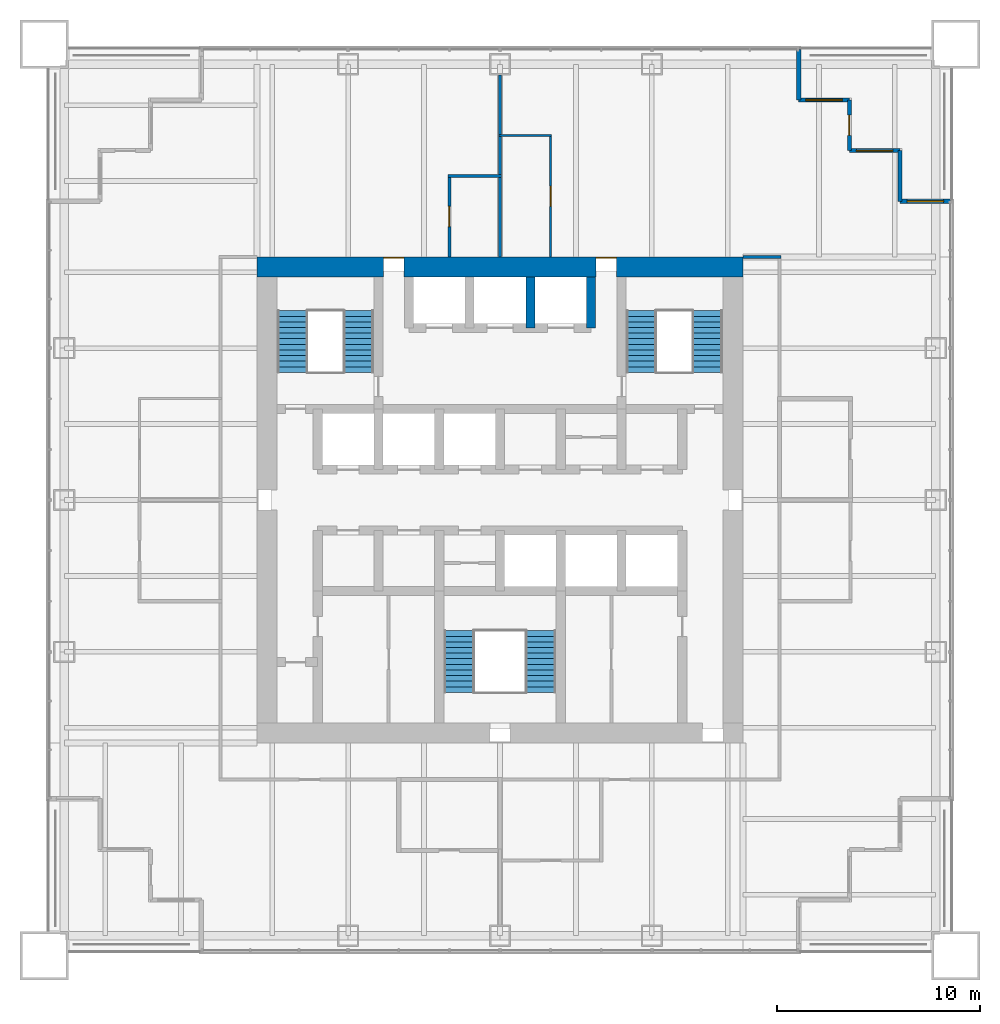
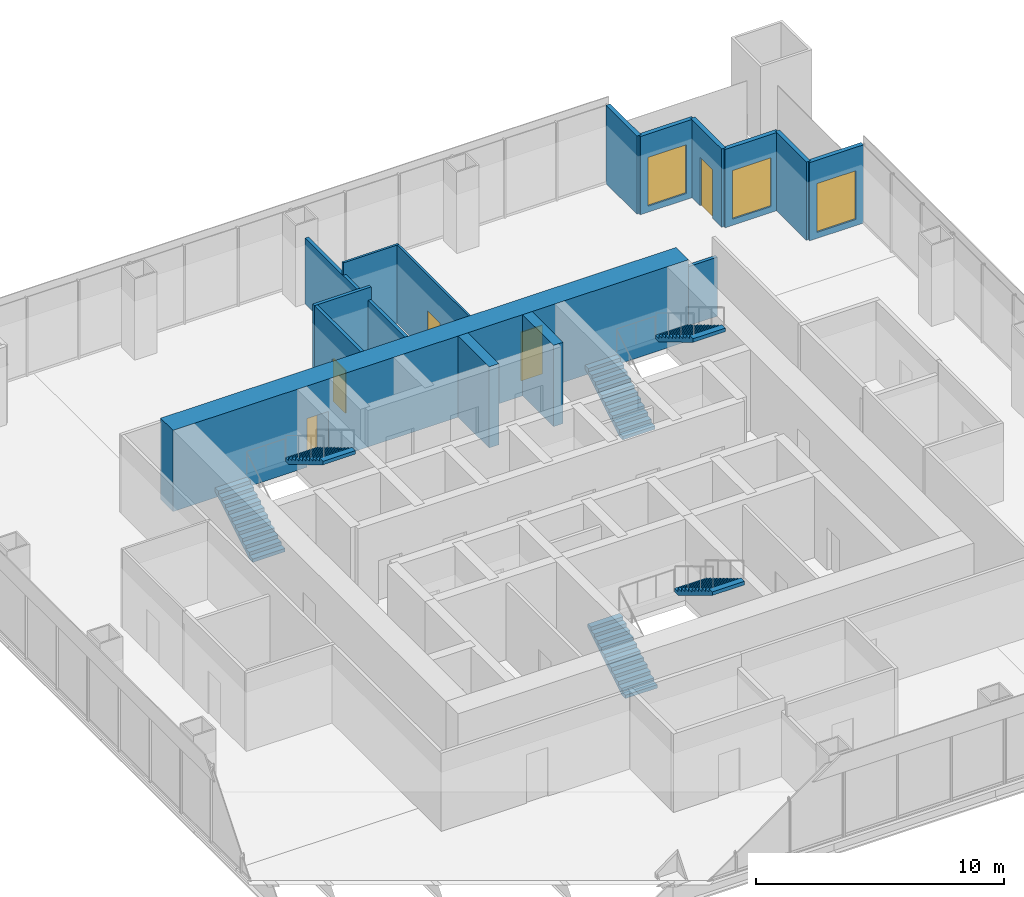
# One storey, part 11 of 13: 15 walls, 6 stair flights, 5 doors, 3 windows, 8 openings, 3 elements without a shape of their own.
"""IFC4 building model written with IfcOpenShell, lengths in metres."""

from ifc_helpers import new_model, si_unit, direction, frame, frame_2d, origin, place, context, subcontext, project, spatial, polyline, rectangle, outline, extrude, material, layer, layer_set, type_object, element, fill, aggregate, save


model = new_model("IFC4")

# Units and contexts
model_context = context("Model", 3, precision=1e-05, world=origin(), true_north=direction((0.0, 1.0)))
body_context = subcontext(model_context, "Body", "Model", "MODEL_VIEW")
ifc_project = project(units=[si_unit("LENGTHUNIT", "METRE"), si_unit("AREAUNIT", "SQUARE_METRE"), si_unit("VOLUMEUNIT", "CUBIC_METRE"), si_unit("PLANEANGLEUNIT", "RADIAN"), si_unit("MASSUNIT", "GRAM", prefix="KILO")], contexts=[model_context])

# Site, building, storey
site_placement = place(None, origin())
site = spatial("IfcSite", under=ifc_project, at=site_placement, CompositionType="ELEMENT")
building_placement = place(site_placement, origin())
building = spatial("IfcBuilding", under=site, at=building_placement, Name="Tarangal Relay Tower", CompositionType="ELEMENT")
storey_placement = place(building_placement, frame((0.0, 0.0, 217.89990234375)))
storey = spatial("IfcBuildingStorey", under=building, at=storey_placement, Name="L46", CompositionType="ELEMENT", Elevation=217.89990234375)

# Walls
ifc_material_1 = material(Name="Concrete fc' 60 MPa", Category="concrete")
ifc_layer_1 = layer(ifc_material_1, 0.449951171875)
ifc_layer_set_1 = layer_set([ifc_layer_1], Name="Core inner wall 450")
wall_type_1 = type_object("IfcWallType", Name="Core inner wall 450", PredefinedType="SHEAR", material=ifc_layer_set_1)
for number, where, z_axis, x_axis, name in (
    (1, (4.5, 8.5, 0.0), (0.0, 0.0, 1.0), (0.0, 1.0, 0.0), "Core wall X45 L46"),
    (2, (1.5, 8.5, 0.0), (0.0, 0.0, 1.0), (0.0, 1.0, 0.0), "Core wall X15 L46"),
):
    element("IfcWall", number, at=place(storey_placement, frame(where, z_axis=z_axis, x_axis=x_axis)), inside=storey, type_object=wall_type_1, Name=name, PredefinedType="SHEAR", context=body_context, shape_type="SweptSolid", body=[
        extrude(rectangle(XDim=2.5, YDim=0.449951171875, at=frame_2d((1.25, 0.0))), origin(), (0.0, 0.0, 1.0), 4.0),
    ])

# Wall, openings, doors
ifc_layer_2 = layer(ifc_material_1, 1.0)
ifc_layer_set_2 = layer_set([ifc_layer_2], Name="Core wall 1000")
wall_type_2 = type_object("IfcWallType", Name="Core wall 1000", PredefinedType="SHEAR", material=ifc_layer_set_2)
wall_1_placement = place(storey_placement, frame((-12.0, 11.5, 0.0), z_axis=(0.0, 0.0, 1.0), x_axis=(1.0, 0.0, 0.0)))
wall_1 = element("IfcWall", 3, at=wall_1_placement, inside=storey, type_object=wall_type_2, Name="Core wall N L46", PredefinedType="SHEAR", context=body_context, shape_type="SweptSolid", body=[
    extrude(rectangle(XDim=24.0, YDim=1.0, at=frame_2d((12.0, 0.0))), origin(), (0.0, 0.0, 1.0), 4.0),
])
opening_1_placement = place(wall_1_placement, frame((6.25, 0.0, 0.0)))
opening_1 = element("IfcOpeningElement", 4, at=opening_1_placement, cuts=wall_1, Name="Opening FD3", PredefinedType="OPENING", context=body_context, shape_type="SweptSolid", body=[
    extrude(rectangle(XDim=1.0, YDim=2.39990234375, at=frame_2d((0.5, 1.199951171875))), frame((0.0, 0.510009765625, 0.0), z_axis=(0.0, -1.0, 0.0), x_axis=(1.0, 0.0, 0.0)), (0.0, 0.0, 1.0), 1.02001953125),
])
opening_2_placement = place(wall_1_placement, frame((16.75, 0.0, 0.0)))
opening_2 = element("IfcOpeningElement", 5, at=opening_2_placement, cuts=wall_1, Name="Opening FD3", PredefinedType="OPENING", context=body_context, shape_type="SweptSolid", body=[
    extrude(rectangle(XDim=1.0, YDim=2.39990234375, at=frame_2d((0.5, 1.199951171875))), frame((0.0, 0.510009765625, 0.0), z_axis=(0.0, -1.0, 0.0), x_axis=(1.0, 0.0, 0.0)), (0.0, 0.0, 1.0), 1.02001953125),
])
ifc_material_2 = material(Name="Steel door with hardwood frame", Category="steel")
door_type_1 = type_object("IfcDoorType", Name="Fire door 1000 x 2400 core entry", OperationType="SINGLE_SWING_RIGHT", PredefinedType="DOOR", material=ifc_material_2)
door_1_placement = place(opening_1_placement, origin())
door_1 = element("IfcDoor", 6, at=door_1_placement, inside=storey, type_object=door_type_1, Name="Core entry door north west L46", OperationType="SINGLE_SWING_RIGHT", OverallHeight=2.39990234375, OverallWidth=1.0, PredefinedType="DOOR", context=body_context, shape_type="SweptSolid", body=[
    extrude(rectangle(XDim=1.0, YDim=2.39990234375, at=frame_2d((0.5, 1.199951171875))), frame((0.0, 0.48486328125, 0.0), z_axis=(0.0, -1.0, 0.0), x_axis=(1.0, 0.0, 0.0)), (0.0, 0.0, 1.0), 0.050048828125),
])
fill(opening_1, door_1)
door_2_placement = place(opening_2_placement, origin())
door_2 = element("IfcDoor", 7, at=door_2_placement, inside=storey, type_object=door_type_1, Name="Core entry door north east L46", OperationType="SINGLE_SWING_RIGHT", OverallHeight=2.39990234375, OverallWidth=1.0, PredefinedType="DOOR", context=body_context, shape_type="SweptSolid", body=[
    extrude(rectangle(XDim=1.0, YDim=2.39990234375, at=frame_2d((0.5, 1.199951171875))), frame((0.0, 0.48486328125, 0.0), z_axis=(0.0, -1.0, 0.0), x_axis=(1.0, 0.0, 0.0)), (0.0, 0.0, 1.0), 0.050048828125),
])
fill(opening_2, door_2)

# Wall
ifc_material_3 = material(Name="Black metal clad insulated wall", Category="steel")
ifc_layer_3 = layer(ifc_material_3, 0.199951171875)
ifc_layer_set_3 = layer_set([ifc_layer_3], Name="Corner wall metal clad 200")
wall_type_3 = type_object("IfcWallType", Name="Corner wall metal clad 200", PredefinedType="SOLIDWALL", material=ifc_layer_set_3)
wall_2_placement = place(storey_placement, frame((14.75, 22.25, 0.0), z_axis=(0.0, 0.0, 1.0), x_axis=(0.0, -1.0, 0.0)))
element("IfcWall", 8, at=wall_2_placement, inside=storey, type_object=wall_type_3, Name="Facade wall N facade L46", PredefinedType="SOLIDWALL", context=body_context, shape_type="SweptSolid", body=[
    extrude(rectangle(XDim=2.5, YDim=0.199951171875, at=frame_2d((1.25, 0.0))), origin(), (0.0, 0.0, 1.0), 3.85009765625),
])

# Wall, opening, window
wall_3_placement = place(storey_placement, frame((14.75, 19.75, 0.0), z_axis=(0.0, 0.0, 1.0), x_axis=(1.0, 0.0, 0.0)))
wall_3 = element("IfcWall", 9, at=wall_3_placement, inside=storey, type_object=wall_type_3, Name="Facade wall N facade L46", PredefinedType="SOLIDWALL", context=body_context, shape_type="SweptSolid", body=[
    extrude(rectangle(XDim=2.5, YDim=0.199951171875, at=frame_2d((1.25, 0.0))), origin(), (0.0, 0.0, 1.0), 3.85009765625),
])
opening_3_placement = place(wall_3_placement, frame((0.35009765625, 0.0, 0.300048828125)))
opening_3 = element("IfcOpeningElement", 10, at=opening_3_placement, cuts=wall_3, Name="Opening WN2", PredefinedType="OPENING", context=body_context, shape_type="SweptSolid", body=[
    extrude(rectangle(XDim=1.800048828125, YDim=2.39990234375, at=frame_2d((0.89990234375, 1.199951171875))), frame((0.0, 0.10986328125, 0.0), z_axis=(0.0, -1.0, 0.0), x_axis=(1.0, 0.0, 0.0)), (0.0, 0.0, 1.0), 0.219970703125),
])
ifc_material_4 = material(Name="Dark tinted double glazing in black aluminium frame", Category="aluminium")
window_type = type_object("IfcWindowType", Name="Corner window 1800 x 2400", PartitioningType="SINGLE_PANEL", PredefinedType="WINDOW", material=ifc_material_4)
window_1_placement = place(opening_3_placement, origin())
window_1 = element("IfcWindow", 11, at=window_1_placement, inside=storey, type_object=window_type, Name="Corner window WN2 N facade L46", OverallHeight=2.39990234375, OverallWidth=1.800048828125, PartitioningType="SINGLE_PANEL", PredefinedType="WINDOW", context=body_context, shape_type="SweptSolid", body=[
    extrude(rectangle(XDim=1.800048828125, YDim=2.39990234375, at=frame_2d((0.89990234375, 1.199951171875))), frame((0.0, 0.030029296875, 0.0), z_axis=(0.0, -1.0, 0.0), x_axis=(1.0, 0.0, 0.0)), (0.0, 0.0, 1.0), 0.06005859375),
])
fill(opening_3, window_1)

# Wall, opening, door
wall_4_placement = place(storey_placement, frame((17.25, 19.75, 0.0), z_axis=(0.0, 0.0, 1.0), x_axis=(0.0, -1.0, 0.0)))
wall_4 = element("IfcWall", 12, at=wall_4_placement, inside=storey, type_object=wall_type_3, Name="Facade wall N facade L46", PredefinedType="SOLIDWALL", context=body_context, shape_type="SweptSolid", body=[
    extrude(rectangle(XDim=2.5, YDim=0.199951171875, at=frame_2d((1.25, 0.0))), origin(), (0.0, 0.0, 1.0), 3.85009765625),
])
opening_4_placement = place(wall_4_placement, frame((0.75, 0.0, 0.0)))
opening_4 = element("IfcOpeningElement", 13, at=opening_4_placement, cuts=wall_4, Name="Opening TD1", PredefinedType="OPENING", context=body_context, shape_type="SweptSolid", body=[
    extrude(rectangle(XDim=1.0, YDim=2.39990234375, at=frame_2d((0.5, 1.199951171875))), frame((0.0, 0.10986328125, 0.0), z_axis=(0.0, -1.0, 0.0), x_axis=(1.0, 0.0, 0.0)), (0.0, 0.0, 1.0), 0.219970703125),
])
ifc_material_5 = material(Name="Aluminium glazed door", Category="aluminium")
door_type_2 = type_object("IfcDoorType", Name="Terrace door 1000 x 2400", OperationType="SINGLE_SWING_RIGHT", PredefinedType="DOOR", material=ifc_material_5)
door_3_placement = place(opening_4_placement, origin())
door_3 = element("IfcDoor", 14, at=door_3_placement, inside=storey, type_object=door_type_2, Name="Terrace door TD1 NE L46", OperationType="SINGLE_SWING_RIGHT", OverallHeight=2.39990234375, OverallWidth=1.0, PredefinedType="DOOR", context=body_context, shape_type="SweptSolid", body=[
    extrude(rectangle(XDim=1.0, YDim=2.39990234375, at=frame_2d((0.5, 1.199951171875))), frame((0.0, 0.02490234375, 0.0), z_axis=(0.0, -1.0, 0.0), x_axis=(1.0, 0.0, 0.0)), (0.0, 0.0, 1.0), 0.050048828125),
])
fill(opening_4, door_3)

# Wall, opening, window
wall_5_placement = place(storey_placement, frame((17.25, 17.25, 0.0), z_axis=(0.0, 0.0, 1.0), x_axis=(1.0, 0.0, 0.0)))
wall_5 = element("IfcWall", 15, at=wall_5_placement, inside=storey, type_object=wall_type_3, Name="Facade wall N facade L46", PredefinedType="SOLIDWALL", context=body_context, shape_type="SweptSolid", body=[
    extrude(rectangle(XDim=2.5, YDim=0.199951171875, at=frame_2d((1.25, 0.0))), origin(), (0.0, 0.0, 1.0), 3.85009765625),
])
opening_5_placement = place(wall_5_placement, frame((0.35009765625, 0.0, 0.300048828125)))
opening_5 = element("IfcOpeningElement", 16, at=opening_5_placement, cuts=wall_5, Name="Opening WN2", PredefinedType="OPENING", context=body_context, shape_type="SweptSolid", body=[
    extrude(rectangle(XDim=1.800048828125, YDim=2.39990234375, at=frame_2d((0.89990234375, 1.199951171875))), frame((0.0, 0.10986328125, 0.0), z_axis=(0.0, -1.0, 0.0), x_axis=(1.0, 0.0, 0.0)), (0.0, 0.0, 1.0), 0.219970703125),
])
window_2_placement = place(opening_5_placement, origin())
window_2 = element("IfcWindow", 17, at=window_2_placement, inside=storey, type_object=window_type, Name="Corner window WN2 N facade L46", OverallHeight=2.39990234375, OverallWidth=1.800048828125, PartitioningType="SINGLE_PANEL", PredefinedType="WINDOW", context=body_context, shape_type="SweptSolid", body=[
    extrude(rectangle(XDim=1.800048828125, YDim=2.39990234375, at=frame_2d((0.89990234375, 1.199951171875))), frame((0.0, 0.030029296875, 0.0), z_axis=(0.0, -1.0, 0.0), x_axis=(1.0, 0.0, 0.0)), (0.0, 0.0, 1.0), 0.06005859375),
])
fill(opening_5, window_2)

# Wall
wall_6_placement = place(storey_placement, frame((19.75, 17.25, 0.0), z_axis=(0.0, 0.0, 1.0), x_axis=(0.0, -1.0, 0.0)))
element("IfcWall", 18, at=wall_6_placement, inside=storey, type_object=wall_type_3, Name="Facade wall N facade L46", PredefinedType="SOLIDWALL", context=body_context, shape_type="SweptSolid", body=[
    extrude(rectangle(XDim=2.5, YDim=0.199951171875, at=frame_2d((1.25, 0.0))), origin(), (0.0, 0.0, 1.0), 3.85009765625),
])

# Wall, opening, window
wall_7_placement = place(storey_placement, frame((19.75, 14.75, 0.0), z_axis=(0.0, 0.0, 1.0), x_axis=(1.0, 0.0, 0.0)))
wall_7 = element("IfcWall", 19, at=wall_7_placement, inside=storey, type_object=wall_type_3, Name="Facade wall N facade L46", PredefinedType="SOLIDWALL", context=body_context, shape_type="SweptSolid", body=[
    extrude(rectangle(XDim=2.5, YDim=0.199951171875, at=frame_2d((1.25, 0.0))), origin(), (0.0, 0.0, 1.0), 3.85009765625),
])
opening_6_placement = place(wall_7_placement, frame((0.35009765625, 0.0, 0.300048828125)))
opening_6 = element("IfcOpeningElement", 20, at=opening_6_placement, cuts=wall_7, Name="Opening WN2", PredefinedType="OPENING", context=body_context, shape_type="SweptSolid", body=[
    extrude(rectangle(XDim=1.800048828125, YDim=2.39990234375, at=frame_2d((0.89990234375, 1.199951171875))), frame((0.0, 0.10986328125, 0.0), z_axis=(0.0, -1.0, 0.0), x_axis=(1.0, 0.0, 0.0)), (0.0, 0.0, 1.0), 0.219970703125),
])
window_3_placement = place(opening_6_placement, origin())
window_3 = element("IfcWindow", 21, at=window_3_placement, inside=storey, type_object=window_type, Name="Corner window WN2 N facade L46", OverallHeight=2.39990234375, OverallWidth=1.800048828125, PartitioningType="SINGLE_PANEL", PredefinedType="WINDOW", context=body_context, shape_type="SweptSolid", body=[
    extrude(rectangle(XDim=1.800048828125, YDim=2.39990234375, at=frame_2d((0.89990234375, 1.199951171875))), frame((0.0, 0.030029296875, 0.0), z_axis=(0.0, -1.0, 0.0), x_axis=(1.0, 0.0, 0.0)), (0.0, 0.0, 1.0), 0.06005859375),
])
fill(opening_6, window_3)

# Wall
ifc_material_6 = material(Name="Double glazed aluminium framed partition", Category="aluminium")
ifc_layer_4 = layer(ifc_material_6, 0.10009765625)
ifc_layer_set_4 = layer_set([ifc_layer_4], Name="Glazed partition 100")
wall_type_4 = type_object("IfcWallType", Name="Glazed partition 100", PredefinedType="PARTITIONING", material=ifc_layer_set_4)
wall_8_placement = place(storey_placement, frame((-0.050048828125, 18.0, 0.0), z_axis=(0.0, 0.0, 1.0), x_axis=(1.0, 0.0, 0.0)))
element("IfcWall", 22, at=wall_8_placement, inside=storey, type_object=wall_type_4, Name="Partition PT3 L46", PredefinedType="PARTITIONING", context=body_context, shape_type="SweptSolid", body=[
    extrude(rectangle(XDim=2.60009765625, YDim=0.10009765625, at=frame_2d((1.300048828125, 0.0))), origin(), (0.0, 0.0, 1.0), 3.85009765625),
])

# Wall, opening, door
wall_9_placement = place(storey_placement, frame((2.5, 12.0, 0.0), z_axis=(0.0, 0.0, 1.0), x_axis=(0.0, 1.0, 0.0)))
wall_9 = element("IfcWall", 23, at=wall_9_placement, inside=storey, type_object=wall_type_4, Name="Partition PT3 L46", PredefinedType="PARTITIONING", context=body_context, shape_type="SweptSolid", body=[
    extrude(rectangle(XDim=6.050048828125, YDim=0.10009765625, at=frame_2d((3.02490234375, 0.0))), origin(), (0.0, 0.0, 1.0), 3.85009765625),
])
opening_7_placement = place(wall_9_placement, frame((2.5, 0.0, 0.0)))
opening_7 = element("IfcOpeningElement", 24, at=opening_7_placement, cuts=wall_9, Name="Opening D3", PredefinedType="OPENING", context=body_context, shape_type="SweptSolid", body=[
    extrude(rectangle(XDim=1.0, YDim=2.10009765625, at=frame_2d((0.5, 1.050048828125))), frame((0.0, 0.06005859375, 0.0), z_axis=(0.0, -1.0, 0.0), x_axis=(1.0, 0.0, 0.0)), (0.0, 0.0, 1.0), 0.1201171875),
])
ifc_material_7 = material(Name="Frameless glass door", Category="glass")
door_type_3 = type_object("IfcDoorType", Name="Glazed door 1000 x 2100", OperationType="SINGLE_SWING_LEFT", PredefinedType="DOOR", material=ifc_material_7)
door_4_placement = place(opening_7_placement, origin())
door_4 = element("IfcDoor", 25, at=door_4_placement, inside=storey, type_object=door_type_3, Name="Door D3 to meeting room L46-03", OperationType="SINGLE_SWING_LEFT", OverallHeight=2.10009765625, OverallWidth=1.0, PredefinedType="DOOR", context=body_context, shape_type="SweptSolid", body=[
    extrude(rectangle(XDim=1.0, YDim=2.10009765625, at=frame_2d((0.5, 1.050048828125))), frame((0.0, 0.02490234375, 0.0), z_axis=(0.0, -1.0, 0.0), x_axis=(1.0, 0.0, 0.0)), (0.0, 0.0, 1.0), 0.050048828125),
])
fill(opening_7, door_4)

# Walls
ifc_material_8 = material(Name="Gypsum board on steel studs", Category="steel")
ifc_layer_5 = layer(ifc_material_8, 0.14990234375)
ifc_layer_set_5 = layer_set([ifc_layer_5], Name="Partition 150")
wall_type_5 = type_object("IfcWallType", Name="Partition 150", PredefinedType="PARTITIONING", material=ifc_layer_set_5)
wall_10_placement = place(storey_placement, frame((12.0, 12.0, 0.0), z_axis=(0.0, 0.0, 1.0), x_axis=(1.0, 0.0, 0.0)))
element("IfcWall", 26, at=wall_10_placement, inside=storey, type_object=wall_type_5, Name="Partition PT1 L46", PredefinedType="PARTITIONING", context=body_context, shape_type="SweptSolid", body=[
    extrude(rectangle(XDim=1.875, YDim=0.14990234375, at=frame_2d((0.9375, 0.0))), origin(), (0.0, 0.0, 1.0), 2.907958984375),
])
wall_11_placement = place(storey_placement, frame((-2.574951171875, 16.0, 0.0), z_axis=(0.0, 0.0, 1.0), x_axis=(1.0, 0.0, 0.0)))
element("IfcWall", 27, at=wall_11_placement, inside=storey, type_object=wall_type_5, Name="Partition PT1 L46", PredefinedType="PARTITIONING", context=body_context, shape_type="SweptSolid", body=[
    extrude(rectangle(XDim=2.64990234375, YDim=0.14990234375, at=frame_2d((1.324951171875, 0.0))), origin(), (0.0, 0.0, 1.0), 3.85009765625),
])

# Wall, opening, door
wall_12_placement = place(storey_placement, frame((-2.5, 12.0, 0.0), z_axis=(0.0, 0.0, 1.0), x_axis=(0.0, 1.0, 0.0)))
wall_12 = element("IfcWall", 28, at=wall_12_placement, inside=storey, type_object=wall_type_5, Name="Partition PT1 L46", PredefinedType="PARTITIONING", context=body_context, shape_type="SweptSolid", body=[
    extrude(rectangle(XDim=4.074951171875, YDim=0.14990234375, at=frame_2d((2.03759765625, 0.0))), origin(), (0.0, 0.0, 1.0), 3.85009765625),
])
opening_8_placement = place(wall_12_placement, frame((1.5, 0.0, 0.0)))
opening_8 = element("IfcOpeningElement", 29, at=opening_8_placement, cuts=wall_12, Name="Opening D2", PredefinedType="OPENING", context=body_context, shape_type="SweptSolid", body=[
    extrude(rectangle(XDim=1.0, YDim=2.10009765625, at=frame_2d((0.5, 1.050048828125))), frame((0.0, 0.0849609375, 0.0), z_axis=(0.0, -1.0, 0.0), x_axis=(1.0, 0.0, 0.0)), (0.0, 0.0, 1.0), 0.169921875),
])
ifc_material_9 = material(Name="Hardwood door", Category="wood")
door_type_4 = type_object("IfcDoorType", Name="Door 1000 x 2100", OperationType="SINGLE_SWING_LEFT", PredefinedType="DOOR", material=ifc_material_9)
door_5_placement = place(opening_8_placement, origin())
door_5 = element("IfcDoor", 30, at=door_5_placement, inside=storey, type_object=door_type_4, Name="Door D2 to tea pantry L46-02", OperationType="SINGLE_SWING_LEFT", OverallHeight=2.10009765625, OverallWidth=1.0, PredefinedType="DOOR", context=body_context, shape_type="SweptSolid", body=[
    extrude(rectangle(XDim=1.0, YDim=2.10009765625, at=frame_2d((0.5, 1.050048828125))), frame((0.0, 0.02490234375, 0.0), z_axis=(0.0, -1.0, 0.0), x_axis=(1.0, 0.0, 0.0)), (0.0, 0.0, 1.0), 0.050048828125),
])
fill(opening_8, door_5)

# Wall
wall_13_placement = place(storey_placement, frame((0.0, 12.0, 0.0), z_axis=(0.0, 0.0, 1.0), x_axis=(0.0, 1.0, 0.0)))
element("IfcWall", 31, at=wall_13_placement, inside=storey, type_object=wall_type_5, Name="Partition PT1 L46", PredefinedType="PARTITIONING", context=body_context, shape_type="SweptSolid", body=[
    extrude(rectangle(XDim=8.989990234375, YDim=0.14990234375, at=frame_2d((4.4951171875, 0.0))), origin(), (0.0, 0.0, 1.0), 3.238037109375),
])

# Stair, stair flights
ifc_material_10 = material(Name="Steel ASTM A992 stair flight", Category="steel")
stair_type = type_object("IfcStairType", Name="Core stair 1500", PredefinedType="HALF_TURN_STAIR", material=ifc_material_10)
stair_1_placement = place(storey_placement, origin())
stair_1 = element("IfcStair", 32, at=stair_1_placement, inside=storey, type_object=stair_type, Name="Stair ST-A L46", PredefinedType="HALF_TURN_STAIR")
stair_flight_type = type_object("IfcStairFlightType", Name="Steel stair flight 1500, 12 risers 167 x 277", PredefinedType="STRAIGHT", material=ifc_material_10)
stair_flight_1_placement = place(storey_placement, frame((-10.25, 6.300048828125, 0.0), z_axis=(0.0, 0.0, 1.0), x_axis=(0.0, 1.0, 0.0)))
stair_flight_1 = element("IfcStairFlight", 33, at=stair_flight_1_placement, type_object=stair_flight_type, Name="ST-A flight 1", NumberOfRisers=12, NumberOfTreads=11, PredefinedType="STRAIGHT", RiserHeight=0.166666667, TreadLength=0.277, context=body_context, shape_type="SweptSolid", body=[
    extrude(outline(polyline([(0.0, 0.0), (0.0, 0.166748046875), (0.277099609375, 0.166748046875), (0.277099609375, 0.333251953125), (0.553955078125, 0.333251953125), (0.553955078125, 0.5), (0.8310546875, 0.5), (0.8310546875, 0.666748046875), (1.10791015625, 0.666748046875), (1.10791015625, 0.833251953125), (1.385009765625, 0.833251953125), (1.385009765625, 1.0), (1.662109375, 1.0), (1.662109375, 1.166748046875), (1.93896484375, 1.166748046875), (1.93896484375, 1.333251953125), (2.216064453125, 1.333251953125), (2.216064453125, 1.5), (2.492919921875, 1.5), (2.492919921875, 1.666748046875), (2.77001953125, 1.666748046875), (2.77001953125, 1.833251953125), (3.047119140625, 1.833251953125), (3.047119140625, 2.0), (3.047119140625, 1.658447265625), (0.290771484375, 0.0), (0.0, 0.0)])), frame((0.0, 0.75, 0.0), z_axis=(0.0, -1.0, 0.0), x_axis=(1.0, 0.0, 0.0)), (0.0, 0.0, 1.0), 1.5),
])
stair_flight_2_placement = place(storey_placement, frame((-6.97509765625, 9.346923828125, 2.0), z_axis=(0.0, 0.0, 1.0), x_axis=(0.0, -1.0, 0.0)))
stair_flight_2 = element("IfcStairFlight", 34, at=stair_flight_2_placement, type_object=stair_flight_type, Name="ST-A flight 2", NumberOfRisers=12, NumberOfTreads=11, PredefinedType="STRAIGHT", RiserHeight=0.166666667, TreadLength=0.277, context=body_context, shape_type="SweptSolid", body=[
    extrude(outline(polyline([(0.0, 0.0), (0.0, 0.166748046875), (0.277099609375, 0.166748046875), (0.277099609375, 0.333251953125), (0.553955078125, 0.333251953125), (0.553955078125, 0.5), (0.8310546875, 0.5), (0.8310546875, 0.666748046875), (1.10791015625, 0.666748046875), (1.10791015625, 0.833251953125), (1.385009765625, 0.833251953125), (1.385009765625, 1.0), (1.662109375, 1.0), (1.662109375, 1.166748046875), (1.93896484375, 1.166748046875), (1.93896484375, 1.333251953125), (2.216064453125, 1.333251953125), (2.216064453125, 1.5), (2.492919921875, 1.5), (2.492919921875, 1.666748046875), (2.77001953125, 1.666748046875), (2.77001953125, 1.833251953125), (3.047119140625, 1.833251953125), (3.047119140625, 2.0), (3.047119140625, 1.658447265625), (0.290771484375, 0.0), (0.0, 0.0)])), frame((0.0, 0.75, 0.0), z_axis=(0.0, -1.0, 0.0), x_axis=(1.0, 0.0, 0.0)), (0.0, 0.0, 1.0), 1.5),
])
aggregate(stair_1, [stair_flight_1, stair_flight_2])

stair_2_placement = place(storey_placement, origin())
stair_2 = element("IfcStair", 35, at=stair_2_placement, inside=storey, type_object=stair_type, Name="Stair ST-B L46", PredefinedType="HALF_TURN_STAIR")
stair_flight_3_placement = place(storey_placement, frame((6.97509765625, 6.300048828125, 0.0), z_axis=(0.0, 0.0, 1.0), x_axis=(0.0, 1.0, 0.0)))
stair_flight_3 = element("IfcStairFlight", 36, at=stair_flight_3_placement, type_object=stair_flight_type, Name="ST-B flight 1", NumberOfRisers=12, NumberOfTreads=11, PredefinedType="STRAIGHT", RiserHeight=0.166666667, TreadLength=0.277, context=body_context, shape_type="SweptSolid", body=[
    extrude(outline(polyline([(0.0, 0.0), (0.0, 0.166748046875), (0.277099609375, 0.166748046875), (0.277099609375, 0.333251953125), (0.553955078125, 0.333251953125), (0.553955078125, 0.5), (0.8310546875, 0.5), (0.8310546875, 0.666748046875), (1.10791015625, 0.666748046875), (1.10791015625, 0.833251953125), (1.385009765625, 0.833251953125), (1.385009765625, 1.0), (1.662109375, 1.0), (1.662109375, 1.166748046875), (1.93896484375, 1.166748046875), (1.93896484375, 1.333251953125), (2.216064453125, 1.333251953125), (2.216064453125, 1.5), (2.492919921875, 1.5), (2.492919921875, 1.666748046875), (2.77001953125, 1.666748046875), (2.77001953125, 1.833251953125), (3.047119140625, 1.833251953125), (3.047119140625, 2.0), (3.047119140625, 1.658447265625), (0.290771484375, 0.0), (0.0, 0.0)])), frame((0.0, 0.75, 0.0), z_axis=(0.0, -1.0, 0.0), x_axis=(1.0, 0.0, 0.0)), (0.0, 0.0, 1.0), 1.5),
])
stair_flight_4_placement = place(storey_placement, frame((10.25, 9.346923828125, 2.0), z_axis=(0.0, 0.0, 1.0), x_axis=(0.0, -1.0, 0.0)))
stair_flight_4 = element("IfcStairFlight", 37, at=stair_flight_4_placement, type_object=stair_flight_type, Name="ST-B flight 2", NumberOfRisers=12, NumberOfTreads=11, PredefinedType="STRAIGHT", RiserHeight=0.166666667, TreadLength=0.277, context=body_context, shape_type="SweptSolid", body=[
    extrude(outline(polyline([(0.0, 0.0), (0.0, 0.166748046875), (0.277099609375, 0.166748046875), (0.277099609375, 0.333251953125), (0.553955078125, 0.333251953125), (0.553955078125, 0.5), (0.8310546875, 0.5), (0.8310546875, 0.666748046875), (1.10791015625, 0.666748046875), (1.10791015625, 0.833251953125), (1.385009765625, 0.833251953125), (1.385009765625, 1.0), (1.662109375, 1.0), (1.662109375, 1.166748046875), (1.93896484375, 1.166748046875), (1.93896484375, 1.333251953125), (2.216064453125, 1.333251953125), (2.216064453125, 1.5), (2.492919921875, 1.5), (2.492919921875, 1.666748046875), (2.77001953125, 1.666748046875), (2.77001953125, 1.833251953125), (3.047119140625, 1.833251953125), (3.047119140625, 2.0), (3.047119140625, 1.658447265625), (0.290771484375, 0.0), (0.0, 0.0)])), frame((0.0, 0.75, 0.0), z_axis=(0.0, -1.0, 0.0), x_axis=(1.0, 0.0, 0.0)), (0.0, 0.0, 1.0), 1.5),
])
aggregate(stair_2, [stair_flight_3, stair_flight_4])

stair_3_placement = place(storey_placement, origin())
stair_3 = element("IfcStair", 38, at=stair_3_placement, inside=storey, type_object=stair_type, Name="Stair ST-C L46", PredefinedType="HALF_TURN_STAIR")
stair_flight_5_placement = place(storey_placement, frame((-2.02490234375, -9.5, 0.0), z_axis=(0.0, 0.0, 1.0), x_axis=(0.0, 1.0, 0.0)))
stair_flight_5 = element("IfcStairFlight", 39, at=stair_flight_5_placement, type_object=stair_flight_type, Name="ST-C flight 1", NumberOfRisers=12, NumberOfTreads=11, PredefinedType="STRAIGHT", RiserHeight=0.166666667, TreadLength=0.277, context=body_context, shape_type="SweptSolid", body=[
    extrude(outline(polyline([(0.0, 0.0), (0.0, 0.166748046875), (0.277099609375, 0.166748046875), (0.277099609375, 0.333251953125), (0.553955078125, 0.333251953125), (0.553955078125, 0.5), (0.8310546875, 0.5), (0.8310546875, 0.666748046875), (1.10791015625, 0.666748046875), (1.10791015625, 0.833251953125), (1.385009765625, 0.833251953125), (1.385009765625, 1.0), (1.662109375, 1.0), (1.662109375, 1.166748046875), (1.93896484375, 1.166748046875), (1.93896484375, 1.333251953125), (2.216064453125, 1.333251953125), (2.216064453125, 1.5), (2.492919921875, 1.5), (2.492919921875, 1.666748046875), (2.77001953125, 1.666748046875), (2.77001953125, 1.833251953125), (3.047119140625, 1.833251953125), (3.047119140625, 2.0), (3.047119140625, 1.658447265625), (0.290771484375, 0.0), (0.0, 0.0)])), frame((0.0, 0.75, 0.0), z_axis=(0.0, -1.0, 0.0), x_axis=(1.0, 0.0, 0.0)), (0.0, 0.0, 1.0), 1.5),
])
stair_flight_6_placement = place(storey_placement, frame((2.02490234375, -6.452880859375, 2.0), z_axis=(0.0, 0.0, 1.0), x_axis=(0.0, -1.0, 0.0)))
stair_flight_6 = element("IfcStairFlight", 40, at=stair_flight_6_placement, type_object=stair_flight_type, Name="ST-C flight 2", NumberOfRisers=12, NumberOfTreads=11, PredefinedType="STRAIGHT", RiserHeight=0.166666667, TreadLength=0.277, context=body_context, shape_type="SweptSolid", body=[
    extrude(outline(polyline([(0.0, 0.0), (0.0, 0.166748046875), (0.277099609375, 0.166748046875), (0.277099609375, 0.333251953125), (0.553955078125, 0.333251953125), (0.553955078125, 0.5), (0.8310546875, 0.5), (0.8310546875, 0.666748046875), (1.10791015625, 0.666748046875), (1.10791015625, 0.833251953125), (1.385009765625, 0.833251953125), (1.385009765625, 1.0), (1.662109375, 1.0), (1.662109375, 1.166748046875), (1.93896484375, 1.166748046875), (1.93896484375, 1.333251953125), (2.216064453125, 1.333251953125), (2.216064453125, 1.5), (2.492919921875, 1.5), (2.492919921875, 1.666748046875), (2.77001953125, 1.666748046875), (2.77001953125, 1.833251953125), (3.047119140625, 1.833251953125), (3.047119140625, 2.0), (3.047119140625, 1.658447265625), (0.290771484375, 0.0), (0.0, 0.0)])), frame((0.0, 0.75, 0.0), z_axis=(0.0, -1.0, 0.0), x_axis=(1.0, 0.0, 0.0)), (0.0, 0.0, 1.0), 1.5),
])
aggregate(stair_3, [stair_flight_5, stair_flight_6])

save(model, "model.ifc")
